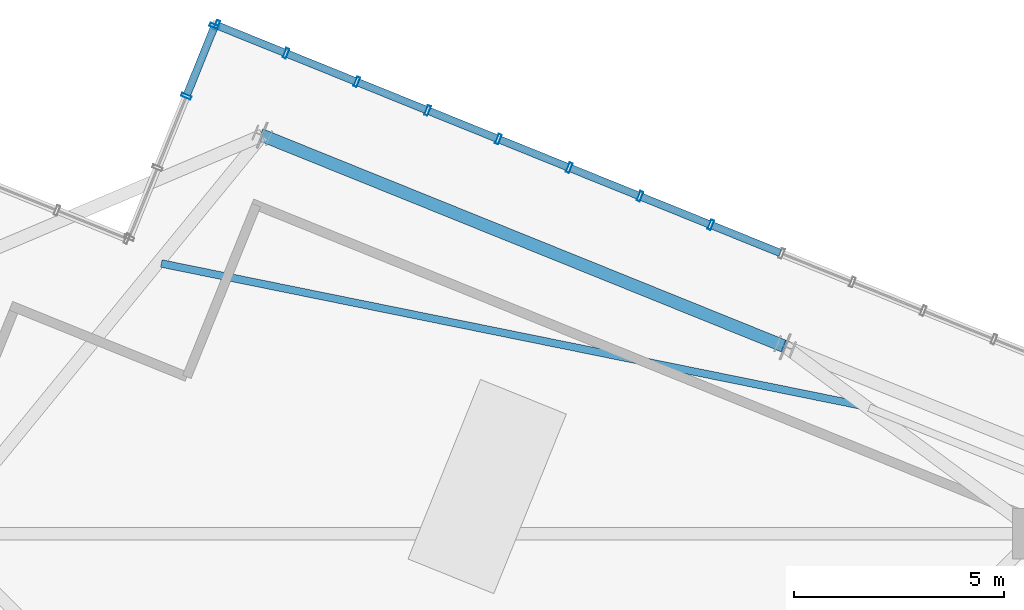
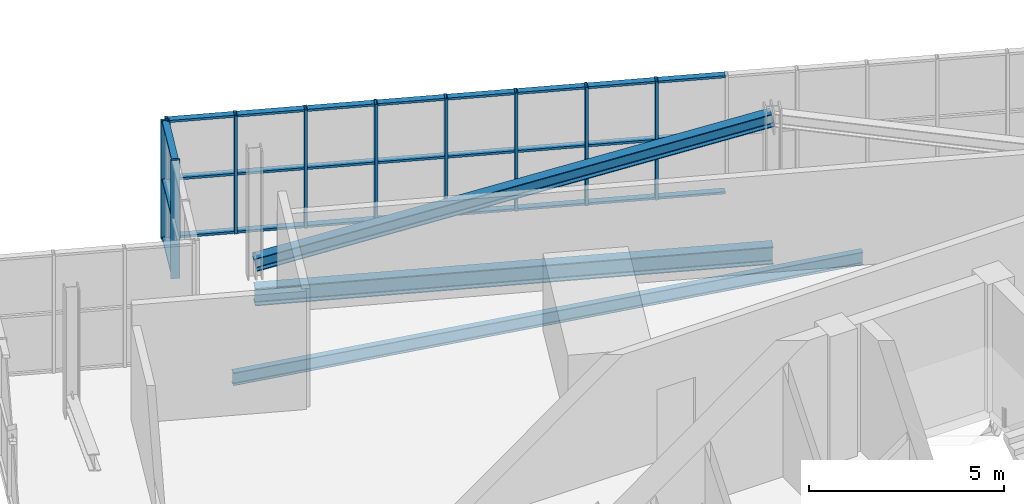
# One storey, part 15 of 26: 38 members, 2 beams, 2 elements without a shape of their own.
"""IFC4 building model written with IfcOpenShell, lengths in metres."""

from ifc_helpers import new_model, si_unit, direction, frame, origin, origin_2d, place, context, subcontext, project, spatial, hollow_rectangle, i_section, extrude, source, transform, mapped, material, layer, layer_set, material_profile, profile_set, type_object, element, aggregate, save


model = new_model("IFC4")

# Units and contexts
model_context = context("Model", 3, precision=1e-05, world=origin(), true_north=direction((0.0, 1.0)))
body_context = subcontext(model_context, "Body", "Model", "MODEL_VIEW")
ifc_project = project(units=[si_unit("LENGTHUNIT", "METRE"), si_unit("AREAUNIT", "SQUARE_METRE"), si_unit("VOLUMEUNIT", "CUBIC_METRE"), si_unit("PLANEANGLEUNIT", "RADIAN"), si_unit("MASSUNIT", "GRAM", prefix="KILO"), si_unit("THERMODYNAMICTEMPERATUREUNIT", "KELVIN")], contexts=[model_context])

# Site, building, storey
site_placement = place(None, origin())
site = spatial("IfcSite", under=ifc_project, at=site_placement, CompositionType="ELEMENT")
building_placement = place(site_placement, origin())
building = spatial("IfcBuilding", under=site, at=building_placement, Name="Kosmvard Interchange Tower", CompositionType="ELEMENT")
storey_placement = place(building_placement, frame((0.0, 0.0, 337.60009765625)))
storey = spatial("IfcBuildingStorey", under=building, at=storey_placement, Name="L83", CompositionType="ELEMENT", Elevation=337.60009765625)

# Member
ifc_material_1 = material(Name="Steel S355", Category="steel")
ifc_material_profile_1 = material_profile(ifc_material_1, i_section(OverallWidth=0.300048828125, OverallDepth=0.39990234375, WebThickness=0.013427734375, FlangeThickness=0.02392578125, FilletRadius=0.027099609375, at=origin_2d()), Name="HEB 400")
ifc_profile_set_1 = profile_set([ifc_material_profile_1], Name="Steel S355")
member_type_1 = type_object("IfcMemberType", Name="Lantern Crown Diagrid Brace HEB 400 S355", PredefinedType="BRACE", material=ifc_profile_set_1)
shared_shape_1 = source(origin(), body_context, "Body", "SweptSolid", [
    extrude(i_section(OverallWidth=0.300048828125, OverallDepth=0.39990234375, WebThickness=0.013427734375, FlangeThickness=0.02392578125, FilletRadius=0.027099609375, at=origin_2d()), origin(), (0.0, 0.0, 1.0), 13.783935546875),
])
member_1_placement = place(storey_placement, frame((-5.34423828125, 22.54345703125, 0.419921875), z_axis=(0.901367558742, -0.364177999122, 0.234330768366), x_axis=(0.374608243744, 0.927183187789, 0.0)))
element("IfcMember", 1, at=member_1_placement, inside=storey, type_object=member_type_1, Name="L83 Crown Lantern Diagrid Brace E2", PredefinedType="BRACE", context=body_context, shape_type="MappedRepresentation", body=[
    mapped(shared_shape_1, transform((0.0, 0.0, 0.0), scale=1.0)),
])

# Beams
ifc_material_profile_2 = material_profile(ifc_material_1, i_section(OverallWidth=0.300048828125, OverallDepth=0.550048828125, WebThickness=0.014892578125, FlangeThickness=0.029052734375, FilletRadius=0.027099609375, at=origin_2d()), Name="HEB 550")
ifc_profile_set_2 = profile_set([ifc_material_profile_2], Name="Steel S355")
beam_type_1 = type_object("IfcBeamType", Name="Crown Ring Cap Girder HEB 550 S355", PredefinedType="BEAM", material=ifc_profile_set_2)
shared_shape_2 = source(origin(), body_context, "Body", "SweptSolid", [
    extrude(i_section(OverallWidth=0.300048828125, OverallDepth=0.550048828125, WebThickness=0.014892578125, FlangeThickness=0.029052734375, FilletRadius=0.027099609375, at=origin_2d()), origin(), (0.0, 0.0, 1.0), 13.400146484375),
])
beam_1_placement = place(storey_placement, frame((7.080078125, 17.523681640625, -0.5751953125), z_axis=(-0.927183187789, 0.374608243744, 0.0), x_axis=(-0.374608243744, -0.927183187789, 0.0)))
element("IfcBeam", 2, at=beam_1_placement, inside=storey, type_object=beam_type_1, Name="BM-L83-PR05", PredefinedType="BEAM", context=body_context, shape_type="MappedRepresentation", body=[
    mapped(shared_shape_2, transform((0.0, 0.0, 0.0), scale=1.0)),
])
ifc_material_profile_3 = material_profile(ifc_material_1, i_section(OverallWidth=0.179931640625, OverallDepth=0.39990234375, WebThickness=0.008544921875, FlangeThickness=0.013427734375, FilletRadius=0.02099609375, at=origin_2d()), Name="IPE 400")
ifc_profile_set_3 = profile_set([ifc_material_profile_3], Name="Steel S355")
beam_type_2 = type_object("IfcBeamType", Name="Upper-Zone Floor Joist IPE 400 S355", PredefinedType="JOIST", material=ifc_profile_set_3)
shared_shape_3 = source(origin(), body_context, "Body", "SweptSolid", [
    extrude(i_section(OverallWidth=0.179931640625, OverallDepth=0.39990234375, WebThickness=0.008544921875, FlangeThickness=0.013427734375, FilletRadius=0.02099609375, at=origin_2d()), origin(), (0.0, 0.0, 1.0), 17.0029296875),
])
beam_2_placement = place(storey_placement, frame((8.921875, 16.117919921875, -0.5), z_axis=(-0.98002341059, 0.198882162837, 0.0), x_axis=(-0.198882162837, -0.98002341059, 0.0)))
element("IfcBeam", 3, at=beam_2_placement, inside=storey, type_object=beam_type_2, Name="BM-L83-FJ04", PredefinedType="JOIST", context=body_context, shape_type="MappedRepresentation", body=[
    mapped(shared_shape_3, transform((0.0, 0.0, 0.0), scale=1.0)),
])

# Curtain wall, members
ifc_material_2 = material(Name="Architectural anodised aluminium", Category="aluminium")
ifc_layer = layer(ifc_material_2, 0.25, Name="Architectural anodised aluminium")
ifc_layer_set = layer_set([ifc_layer], Name="Architectural anodised aluminium")
curtain_wall_type = type_object("IfcCurtainWallType", Name="CW-6 Illuminated Crown Lantern Curtain Wall", PredefinedType="NOTDEFINED", material=ifc_layer_set)
curtain_wall_1_placement = place(storey_placement, origin())
curtain_wall_1 = element("IfcCurtainWall", 4, at=curtain_wall_1_placement, inside=storey, type_object=curtain_wall_type, Name="L83 Crown Lantern Glazing Face 04", PredefinedType="NOTDEFINED")
ifc_material_profile_4 = material_profile(ifc_material_2, hollow_rectangle(XDim=0.239990234375, YDim=0.080078125, WallThickness=0.006103515625, at=origin_2d()), Name="CWM 240x80x6")
ifc_profile_set_4 = profile_set([ifc_material_profile_4], Name="Architectural anodised aluminium")
member_type_2 = type_object("IfcMemberType", Name="Lantern & Observation CW Mullion 240x80 Aluminium", PredefinedType="MULLION", material=ifc_profile_set_4)
shared_shape_4 = source(origin(), body_context, "Body", "SweptSolid", [
    extrude(hollow_rectangle(XDim=0.239990234375, YDim=0.080078125, WallThickness=0.006103515625, at=origin_2d()), origin(), (0.0, 0.0, 1.0), 3.699951171875),
])
member_2_placement = place(storey_placement, frame((5.313720703125, 20.416015625, 0.0), z_axis=(0.0, 0.0, 1.0), x_axis=(-0.374606584758, -0.927183858065, 0.0)))
member_2 = element("IfcMember", 5, at=member_2_placement, type_object=member_type_2, Name="CW-6 mullion 11", PredefinedType="MULLION", context=body_context, shape_type="MappedRepresentation", body=[
    mapped(shared_shape_4, transform((0.0, 0.0, 0.0), scale=1.0)),
])
member_3_placement = place(storey_placement, frame((3.6318359375, 21.095703125, 0.0), z_axis=(0.0, 0.0, 1.0), x_axis=(-0.374606584758, -0.927183858065, 0.0)))
member_3 = element("IfcMember", 6, at=member_3_placement, type_object=member_type_2, Name="CW-6 mullion 12", PredefinedType="MULLION", context=body_context, shape_type="MappedRepresentation", body=[
    mapped(shared_shape_4, transform((0.0, 0.0, 0.0), scale=1.0)),
])
member_4_placement = place(storey_placement, frame((1.94970703125, 21.775146484375, 0.0), z_axis=(0.0, 0.0, 1.0), x_axis=(-0.374606584758, -0.927183858065, 0.0)))
member_4 = element("IfcMember", 7, at=member_4_placement, type_object=member_type_2, Name="CW-6 mullion 13", PredefinedType="MULLION", context=body_context, shape_type="MappedRepresentation", body=[
    mapped(shared_shape_4, transform((0.0, 0.0, 0.0), scale=1.0)),
])
member_5_placement = place(storey_placement, frame((0.267578125, 22.454833984375, 0.0), z_axis=(0.0, 0.0, 1.0), x_axis=(-0.374606584758, -0.927183858065, 0.0)))
member_5 = element("IfcMember", 8, at=member_5_placement, type_object=member_type_2, Name="CW-6 mullion 14", PredefinedType="MULLION", context=body_context, shape_type="MappedRepresentation", body=[
    mapped(shared_shape_4, transform((0.0, 0.0, 0.0), scale=1.0)),
])
member_6_placement = place(storey_placement, frame((-1.414306640625, 23.13427734375, 0.0), z_axis=(0.0, 0.0, 1.0), x_axis=(-0.374606584758, -0.927183858065, 0.0)))
member_6 = element("IfcMember", 9, at=member_6_placement, type_object=member_type_2, Name="CW-6 mullion 15", PredefinedType="MULLION", context=body_context, shape_type="MappedRepresentation", body=[
    mapped(shared_shape_4, transform((0.0, 0.0, 0.0), scale=1.0)),
])
member_7_placement = place(storey_placement, frame((-3.096435546875, 23.81396484375, 0.0), z_axis=(0.0, 0.0, 1.0), x_axis=(-0.374606584758, -0.927183858065, 0.0)))
member_7 = element("IfcMember", 10, at=member_7_placement, type_object=member_type_2, Name="CW-6 mullion 16", PredefinedType="MULLION", context=body_context, shape_type="MappedRepresentation", body=[
    mapped(shared_shape_4, transform((0.0, 0.0, 0.0), scale=1.0)),
])
member_8_placement = place(storey_placement, frame((-4.7783203125, 24.49365234375, 0.0), z_axis=(0.0, 0.0, 1.0), x_axis=(-0.374606584758, -0.927183858065, 0.0)))
member_8 = element("IfcMember", 11, at=member_8_placement, type_object=member_type_2, Name="CW-6 mullion 17", PredefinedType="MULLION", context=body_context, shape_type="MappedRepresentation", body=[
    mapped(shared_shape_4, transform((0.0, 0.0, 0.0), scale=1.0)),
])
member_9_placement = place(storey_placement, frame((-6.42333984375, 25.158203125, 0.0), z_axis=(0.0, 0.0, 1.0), x_axis=(-0.374606584758, -0.927183858065, 0.0)))
member_9 = element("IfcMember", 12, at=member_9_placement, type_object=member_type_2, Name="CW-6 mullion 18", PredefinedType="MULLION", context=body_context, shape_type="MappedRepresentation", body=[
    mapped(shared_shape_4, transform((0.0, 0.0, 0.0), scale=1.0)),
])

curtain_wall_2_placement = place(storey_placement, origin())
curtain_wall_2 = element("IfcCurtainWall", 13, at=curtain_wall_2_placement, inside=storey, type_object=curtain_wall_type, Name="L83 Crown Lantern Glazing Face 05", PredefinedType="NOTDEFINED")
member_10_placement = place(storey_placement, frame((-6.475341796875, 25.135986328125, 0.0), z_axis=(0.0, 0.0, 1.0), x_axis=(0.92718386612, -0.374606564822, 0.0)))
member_10 = element("IfcMember", 14, at=member_10_placement, type_object=member_type_2, Name="CW-6 mullion 1", PredefinedType="MULLION", context=body_context, shape_type="MappedRepresentation", body=[
    mapped(shared_shape_4, transform((0.0, 0.0, 0.0), scale=1.0)),
])
member_11_placement = place(storey_placement, frame((-7.147216796875, 23.473388671875, 0.0), z_axis=(0.0, 0.0, 1.0), x_axis=(0.92718386612, -0.374606564822, 0.0)))
member_11 = element("IfcMember", 15, at=member_11_placement, type_object=member_type_2, Name="CW-6 mullion 2", PredefinedType="MULLION", context=body_context, shape_type="MappedRepresentation", body=[
    mapped(shared_shape_4, transform((0.0, 0.0, 0.0), scale=1.0)),
])

# Member
ifc_material_profile_5 = material_profile(ifc_material_2, hollow_rectangle(XDim=0.179931640625, YDim=0.070068359375, WallThickness=0.0048828125, at=origin_2d()), Name="CWT 180x70x5")
ifc_profile_set_5 = profile_set([ifc_material_profile_5], Name="Architectural anodised aluminium")
member_type_3 = type_object("IfcMemberType", Name="Heavy Lantern CW Transom 180x70 Aluminium", PredefinedType="USERDEFINED", material=ifc_profile_set_5)
shared_shape_5 = source(origin(), body_context, "Body", "SweptSolid", [
    extrude(hollow_rectangle(XDim=0.179931640625, YDim=0.070068359375, WallThickness=0.0048828125, at=origin_2d()), origin(), (0.0, 0.0, 1.0), 1.694091796875),
])
member_12_placement = place(storey_placement, frame((-4.8154296875, 24.508544921875, 0.034912109375), z_axis=(-0.927209116514, 0.374544061831, 0.0), x_axis=(-0.374544061831, -0.927209116514, 0.0)))
member_12 = element("IfcMember", 16, at=member_12_placement, type_object=member_type_3, Name="CW-6 transom 17.1", ObjectType="TRANSOM", PredefinedType="USERDEFINED", context=body_context, shape_type="MappedRepresentation", body=[
    mapped(shared_shape_5, transform((0.0, 0.0, 0.0), scale=1.0)),
])

member_13_placement = place(storey_placement, frame((-4.8154296875, 24.508544921875, 1.849853515625), z_axis=(-0.927209116514, 0.374544061831, 0.0), x_axis=(-0.374544061831, -0.927209116514, 0.0)))
member_13 = element("IfcMember", 17, at=member_13_placement, type_object=member_type_3, Name="CW-6 transom 17.2", ObjectType="TRANSOM", PredefinedType="USERDEFINED", context=body_context, shape_type="MappedRepresentation", body=[
    mapped(shared_shape_5, transform((0.0, 0.0, 0.0), scale=1.0)),
])

member_14_placement = place(storey_placement, frame((-4.8154296875, 24.508544921875, 3.664794921875), z_axis=(-0.927209116514, 0.374544061831, 0.0), x_axis=(-0.374544061831, -0.927209116514, 0.0)))
member_14 = element("IfcMember", 18, at=member_14_placement, type_object=member_type_3, Name="CW-6 transom 17.3", ObjectType="TRANSOM", PredefinedType="USERDEFINED", context=body_context, shape_type="MappedRepresentation", body=[
    mapped(shared_shape_5, transform((0.0, 0.0, 0.0), scale=1.0)),
])

shared_shape_6 = source(origin(), body_context, "Body", "SweptSolid", [
    extrude(hollow_rectangle(XDim=0.179931640625, YDim=0.070068359375, WallThickness=0.0048828125, at=origin_2d()), origin(), (0.0, 0.0, 1.0), 1.734130859375),
])
member_15_placement = place(storey_placement, frame((6.958740234375, 19.75146484375, 0.034912109375), z_axis=(-0.927179782522, 0.374616671924, 0.0), x_axis=(-0.374616671924, -0.927179782522, 0.0)))
member_15 = element("IfcMember", 19, at=member_15_placement, type_object=member_type_3, Name="CW-6 transom 10.1", ObjectType="TRANSOM", PredefinedType="USERDEFINED", context=body_context, shape_type="MappedRepresentation", body=[
    mapped(shared_shape_6, transform((0.0, 0.0, 0.0), scale=1.0)),
])

member_16_placement = place(storey_placement, frame((6.958740234375, 19.75146484375, 1.849853515625), z_axis=(-0.927179782522, 0.374616671924, 0.0), x_axis=(-0.374616671924, -0.927179782522, 0.0)))
member_16 = element("IfcMember", 20, at=member_16_placement, type_object=member_type_3, Name="CW-6 transom 10.2", ObjectType="TRANSOM", PredefinedType="USERDEFINED", context=body_context, shape_type="MappedRepresentation", body=[
    mapped(shared_shape_6, transform((0.0, 0.0, 0.0), scale=1.0)),
])

member_17_placement = place(storey_placement, frame((6.958740234375, 19.75146484375, 3.664794921875), z_axis=(-0.927179782522, 0.374616671924, 0.0), x_axis=(-0.374616671924, -0.927179782522, 0.0)))
member_17 = element("IfcMember", 21, at=member_17_placement, type_object=member_type_3, Name="CW-6 transom 10.3", ObjectType="TRANSOM", PredefinedType="USERDEFINED", context=body_context, shape_type="MappedRepresentation", body=[
    mapped(shared_shape_6, transform((0.0, 0.0, 0.0), scale=1.0)),
])

member_18_placement = place(storey_placement, frame((5.276611328125, 20.43115234375, 0.034912109375), z_axis=(-0.927228675447, 0.374495638732, 0.0), x_axis=(-0.374495638732, -0.927228675447, 0.0)))
member_18 = element("IfcMember", 22, at=member_18_placement, type_object=member_type_3, Name="CW-6 transom 11.1", ObjectType="TRANSOM", PredefinedType="USERDEFINED", context=body_context, shape_type="MappedRepresentation", body=[
    mapped(shared_shape_6, transform((0.0, 0.0, 0.0), scale=1.0)),
])

member_19_placement = place(storey_placement, frame((5.276611328125, 20.43115234375, 1.849853515625), z_axis=(-0.927228675447, 0.374495638732, 0.0), x_axis=(-0.374495638732, -0.927228675447, 0.0)))
member_19 = element("IfcMember", 23, at=member_19_placement, type_object=member_type_3, Name="CW-6 transom 11.2", ObjectType="TRANSOM", PredefinedType="USERDEFINED", context=body_context, shape_type="MappedRepresentation", body=[
    mapped(shared_shape_6, transform((0.0, 0.0, 0.0), scale=1.0)),
])

member_20_placement = place(storey_placement, frame((5.276611328125, 20.43115234375, 3.664794921875), z_axis=(-0.927228675447, 0.374495638732, 0.0), x_axis=(-0.374495638732, -0.927228675447, 0.0)))
member_20 = element("IfcMember", 24, at=member_20_placement, type_object=member_type_3, Name="CW-6 transom 11.3", ObjectType="TRANSOM", PredefinedType="USERDEFINED", context=body_context, shape_type="MappedRepresentation", body=[
    mapped(shared_shape_6, transform((0.0, 0.0, 0.0), scale=1.0)),
])

member_21_placement = place(storey_placement, frame((3.5947265625, 21.110595703125, 0.034912109375), z_axis=(-0.927179782522, 0.374616671924, 0.0), x_axis=(-0.374616671924, -0.927179782522, 0.0)))
member_21 = element("IfcMember", 25, at=member_21_placement, type_object=member_type_3, Name="CW-6 transom 12.1", ObjectType="TRANSOM", PredefinedType="USERDEFINED", context=body_context, shape_type="MappedRepresentation", body=[
    mapped(shared_shape_6, transform((0.0, 0.0, 0.0), scale=1.0)),
])

member_22_placement = place(storey_placement, frame((3.5947265625, 21.110595703125, 1.849853515625), z_axis=(-0.927179782522, 0.374616671924, 0.0), x_axis=(-0.374616671924, -0.927179782522, 0.0)))
member_22 = element("IfcMember", 26, at=member_22_placement, type_object=member_type_3, Name="CW-6 transom 12.2", ObjectType="TRANSOM", PredefinedType="USERDEFINED", context=body_context, shape_type="MappedRepresentation", body=[
    mapped(shared_shape_6, transform((0.0, 0.0, 0.0), scale=1.0)),
])

member_23_placement = place(storey_placement, frame((3.5947265625, 21.110595703125, 3.664794921875), z_axis=(-0.927179782522, 0.374616671924, 0.0), x_axis=(-0.374616671924, -0.927179782522, 0.0)))
member_23 = element("IfcMember", 27, at=member_23_placement, type_object=member_type_3, Name="CW-6 transom 12.3", ObjectType="TRANSOM", PredefinedType="USERDEFINED", context=body_context, shape_type="MappedRepresentation", body=[
    mapped(shared_shape_6, transform((0.0, 0.0, 0.0), scale=1.0)),
])

member_24_placement = place(storey_placement, frame((1.91259765625, 21.790283203125, 0.034912109375), z_axis=(-0.927228675447, 0.374495638732, 0.0), x_axis=(-0.374495638732, -0.927228675447, 0.0)))
member_24 = element("IfcMember", 28, at=member_24_placement, type_object=member_type_3, Name="CW-6 transom 13.1", ObjectType="TRANSOM", PredefinedType="USERDEFINED", context=body_context, shape_type="MappedRepresentation", body=[
    mapped(shared_shape_6, transform((0.0, 0.0, 0.0), scale=1.0)),
])

member_25_placement = place(storey_placement, frame((1.91259765625, 21.790283203125, 1.849853515625), z_axis=(-0.927228675447, 0.374495638732, 0.0), x_axis=(-0.374495638732, -0.927228675447, 0.0)))
member_25 = element("IfcMember", 29, at=member_25_placement, type_object=member_type_3, Name="CW-6 transom 13.2", ObjectType="TRANSOM", PredefinedType="USERDEFINED", context=body_context, shape_type="MappedRepresentation", body=[
    mapped(shared_shape_6, transform((0.0, 0.0, 0.0), scale=1.0)),
])

member_26_placement = place(storey_placement, frame((1.91259765625, 21.790283203125, 3.664794921875), z_axis=(-0.927228675447, 0.374495638732, 0.0), x_axis=(-0.374495638732, -0.927228675447, 0.0)))
member_26 = element("IfcMember", 30, at=member_26_placement, type_object=member_type_3, Name="CW-6 transom 13.3", ObjectType="TRANSOM", PredefinedType="USERDEFINED", context=body_context, shape_type="MappedRepresentation", body=[
    mapped(shared_shape_6, transform((0.0, 0.0, 0.0), scale=1.0)),
])

member_27_placement = place(storey_placement, frame((-1.451416015625, 23.1494140625, 0.034912109375), z_axis=(-0.927179782522, 0.374616671924, 0.0), x_axis=(-0.374616671924, -0.927179782522, 0.0)))
member_27 = element("IfcMember", 31, at=member_27_placement, type_object=member_type_3, Name="CW-6 transom 15.1", ObjectType="TRANSOM", PredefinedType="USERDEFINED", context=body_context, shape_type="MappedRepresentation", body=[
    mapped(shared_shape_6, transform((0.0, 0.0, 0.0), scale=1.0)),
])

member_28_placement = place(storey_placement, frame((-1.451416015625, 23.1494140625, 1.849853515625), z_axis=(-0.927179782522, 0.374616671924, 0.0), x_axis=(-0.374616671924, -0.927179782522, 0.0)))
member_28 = element("IfcMember", 32, at=member_28_placement, type_object=member_type_3, Name="CW-6 transom 15.2", ObjectType="TRANSOM", PredefinedType="USERDEFINED", context=body_context, shape_type="MappedRepresentation", body=[
    mapped(shared_shape_6, transform((0.0, 0.0, 0.0), scale=1.0)),
])

member_29_placement = place(storey_placement, frame((-1.451416015625, 23.1494140625, 3.664794921875), z_axis=(-0.927179782522, 0.374616671924, 0.0), x_axis=(-0.374616671924, -0.927179782522, 0.0)))
member_29 = element("IfcMember", 33, at=member_29_placement, type_object=member_type_3, Name="CW-6 transom 15.3", ObjectType="TRANSOM", PredefinedType="USERDEFINED", context=body_context, shape_type="MappedRepresentation", body=[
    mapped(shared_shape_6, transform((0.0, 0.0, 0.0), scale=1.0)),
])

shared_shape_7 = source(origin(), body_context, "Body", "SweptSolid", [
    extrude(hollow_rectangle(XDim=0.179931640625, YDim=0.070068359375, WallThickness=0.0048828125, at=origin_2d()), origin(), (0.0, 0.0, 1.0), 1.73388671875),
])
member_30_placement = place(storey_placement, frame((0.23046875, 22.4697265625, 0.034912109375), z_axis=(-0.927160021861, 0.374665576032, 0.0), x_axis=(-0.374665576032, -0.927160021861, 0.0)))
member_30 = element("IfcMember", 34, at=member_30_placement, type_object=member_type_3, Name="CW-6 transom 14.1", ObjectType="TRANSOM", PredefinedType="USERDEFINED", context=body_context, shape_type="MappedRepresentation", body=[
    mapped(shared_shape_7, transform((0.0, 0.0, 0.0), scale=1.0)),
])

member_31_placement = place(storey_placement, frame((0.23046875, 22.4697265625, 1.849853515625), z_axis=(-0.927160021861, 0.374665576032, 0.0), x_axis=(-0.374665576032, -0.927160021861, 0.0)))
member_31 = element("IfcMember", 35, at=member_31_placement, type_object=member_type_3, Name="CW-6 transom 14.2", ObjectType="TRANSOM", PredefinedType="USERDEFINED", context=body_context, shape_type="MappedRepresentation", body=[
    mapped(shared_shape_7, transform((0.0, 0.0, 0.0), scale=1.0)),
])

member_32_placement = place(storey_placement, frame((0.23046875, 22.4697265625, 3.664794921875), z_axis=(-0.927160021861, 0.374665576032, 0.0), x_axis=(-0.374665576032, -0.927160021861, 0.0)))
member_32 = element("IfcMember", 36, at=member_32_placement, type_object=member_type_3, Name="CW-6 transom 14.3", ObjectType="TRANSOM", PredefinedType="USERDEFINED", context=body_context, shape_type="MappedRepresentation", body=[
    mapped(shared_shape_7, transform((0.0, 0.0, 0.0), scale=1.0)),
])

member_33_placement = place(storey_placement, frame((-3.133544921875, 23.828857421875, 0.034912109375), z_axis=(-0.927160021861, 0.374665576032, 0.0), x_axis=(-0.374665576032, -0.927160021861, 0.0)))
member_33 = element("IfcMember", 37, at=member_33_placement, type_object=member_type_3, Name="CW-6 transom 16.1", ObjectType="TRANSOM", PredefinedType="USERDEFINED", context=body_context, shape_type="MappedRepresentation", body=[
    mapped(shared_shape_7, transform((0.0, 0.0, 0.0), scale=1.0)),
])

member_34_placement = place(storey_placement, frame((-3.133544921875, 23.828857421875, 1.849853515625), z_axis=(-0.927160021861, 0.374665576032, 0.0), x_axis=(-0.374665576032, -0.927160021861, 0.0)))
member_34 = element("IfcMember", 38, at=member_34_placement, type_object=member_type_3, Name="CW-6 transom 16.2", ObjectType="TRANSOM", PredefinedType="USERDEFINED", context=body_context, shape_type="MappedRepresentation", body=[
    mapped(shared_shape_7, transform((0.0, 0.0, 0.0), scale=1.0)),
])

member_35_placement = place(storey_placement, frame((-3.133544921875, 23.828857421875, 3.664794921875), z_axis=(-0.927160021861, 0.374665576032, 0.0), x_axis=(-0.374665576032, -0.927160021861, 0.0)))
member_35 = element("IfcMember", 39, at=member_35_placement, type_object=member_type_3, Name="CW-6 transom 16.3", ObjectType="TRANSOM", PredefinedType="USERDEFINED", context=body_context, shape_type="MappedRepresentation", body=[
    mapped(shared_shape_7, transform((0.0, 0.0, 0.0), scale=1.0)),
])

aggregate(curtain_wall_1, [member_2, member_3, member_4, member_5, member_6, member_7, member_8, member_9, member_15, member_16, member_17, member_18, member_19, member_20, member_21, member_22, member_23, member_24, member_25, member_26, member_30, member_31, member_32, member_27, member_28, member_29, member_33, member_34, member_35, member_12, member_13, member_14])

shared_shape_8 = source(origin(), body_context, "Body", "SweptSolid", [
    extrude(hollow_rectangle(XDim=0.179931640625, YDim=0.070068359375, WallThickness=0.0048828125, at=origin_2d()), origin(), (0.0, 0.0, 1.0), 1.71337890625),
])
member_36_placement = place(storey_placement, frame((-6.490478515625, 25.098876953125, 0.034912109375), z_axis=(-0.374484254265, -0.927233273404, 0.0), x_axis=(0.927233273404, -0.374484254265, 0.0)))
member_36 = element("IfcMember", 40, at=member_36_placement, type_object=member_type_3, Name="CW-6 transom 1.1", ObjectType="TRANSOM", PredefinedType="USERDEFINED", context=body_context, shape_type="MappedRepresentation", body=[
    mapped(shared_shape_8, transform((0.0, 0.0, 0.0), scale=1.0)),
])

member_37_placement = place(storey_placement, frame((-6.490478515625, 25.098876953125, 1.849853515625), z_axis=(-0.374484254265, -0.927233273404, 0.0), x_axis=(0.927233273404, -0.374484254265, 0.0)))
member_37 = element("IfcMember", 41, at=member_37_placement, type_object=member_type_3, Name="CW-6 transom 1.2", ObjectType="TRANSOM", PredefinedType="USERDEFINED", context=body_context, shape_type="MappedRepresentation", body=[
    mapped(shared_shape_8, transform((0.0, 0.0, 0.0), scale=1.0)),
])

member_38_placement = place(storey_placement, frame((-6.490478515625, 25.098876953125, 3.664794921875), z_axis=(-0.374484254265, -0.927233273404, 0.0), x_axis=(0.927233273404, -0.374484254265, 0.0)))
member_38 = element("IfcMember", 42, at=member_38_placement, type_object=member_type_3, Name="CW-6 transom 1.3", ObjectType="TRANSOM", PredefinedType="USERDEFINED", context=body_context, shape_type="MappedRepresentation", body=[
    mapped(shared_shape_8, transform((0.0, 0.0, 0.0), scale=1.0)),
])

aggregate(curtain_wall_2, [member_10, member_11, member_36, member_37, member_38])

save(model, "model.ifc")
